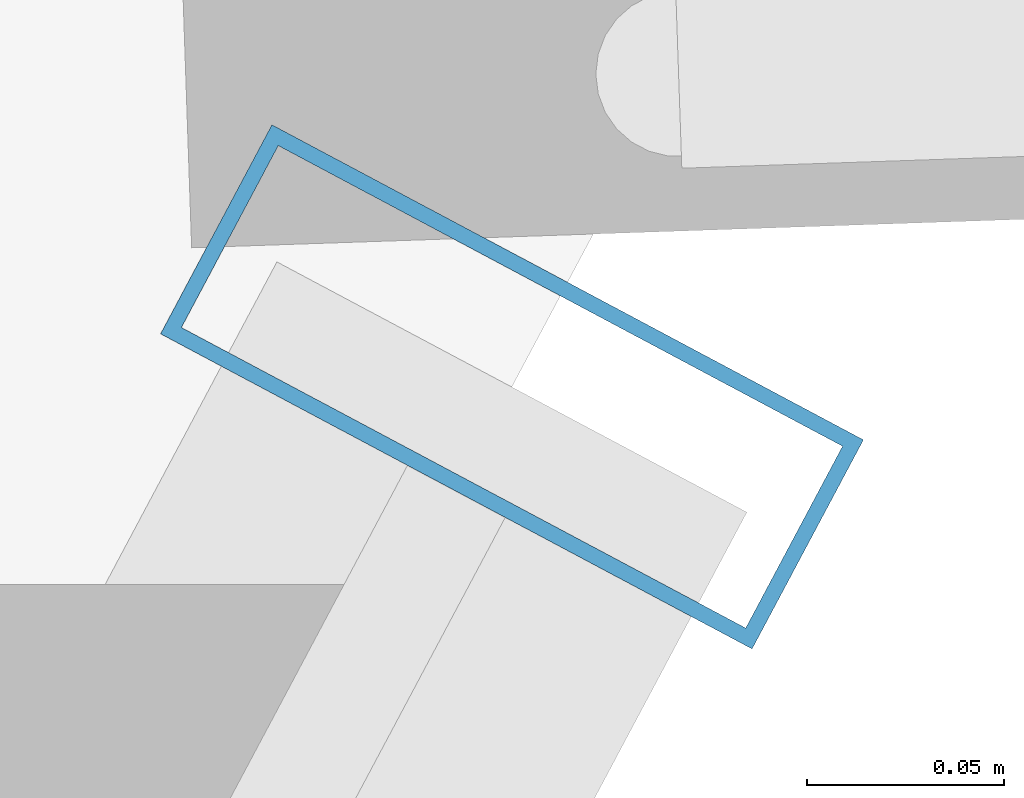
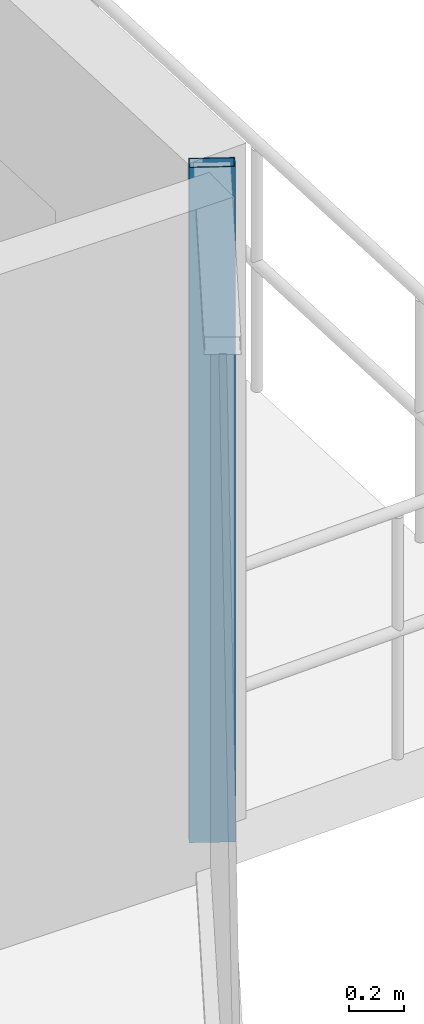
# One storey, part 20 of 39: 1 member, 1 element without a shape of its own.
"""IFC4 building model written with IfcOpenShell, lengths in metres."""

from ifc_helpers import new_model, si_unit, direction, frame, origin, origin_2d, place, context, subcontext, project, spatial, hollow_rectangle, extrude, source, transform, mapped, material, layer, layer_set, material_profile, profile_set, type_object, element, aggregate, save


model = new_model("IFC4")

# Units and contexts
model_context = context("Model", 3, precision=1e-05, world=origin(), true_north=direction((0.0, 1.0)))
body_context = subcontext(model_context, "Body", "Model", "MODEL_VIEW")
ifc_project = project(units=[si_unit("LENGTHUNIT", "METRE"), si_unit("AREAUNIT", "SQUARE_METRE"), si_unit("VOLUMEUNIT", "CUBIC_METRE"), si_unit("PLANEANGLEUNIT", "RADIAN"), si_unit("MASSUNIT", "GRAM", prefix="KILO")], contexts=[model_context])

# Site, building, storey
site_placement = place(None, origin())
site = spatial("IfcSite", under=ifc_project, at=site_placement, CompositionType="ELEMENT")
building_placement = place(site_placement, origin())
building = spatial("IfcBuilding", under=site, at=building_placement, Name="Veraguas Prism Commons", CompositionType="ELEMENT")
storey_placement = place(building_placement, frame((0.0, 0.0, 30.550048828125)))
storey = spatial("IfcBuildingStorey", under=building, at=storey_placement, Name="L07", CompositionType="ELEMENT", Elevation=30.550048828125)

# Curtain wall, member
ifc_material = material(Name="Anodised aluminium EN AW-6063 T6", Category="aluminium")
ifc_layer = layer(ifc_material, 0.169921875, Name="Unitised Flush Curtain Wall Zone 1", Category="aluminium")
ifc_layer_set = layer_set([ifc_layer], Name="Anodised aluminium EN AW-6063 T6")
curtain_wall_type = type_object("IfcCurtainWallType", Name="Unitised Flush Curtain Wall Zone 1", PredefinedType="NOTDEFINED", material=ifc_layer_set)
curtain_wall_placement = place(storey_placement, origin())
curtain_wall = element("IfcCurtainWall", 1, at=curtain_wall_placement, inside=storey, type_object=curtain_wall_type, Name="Tower Facade Curtain Wall L07-F6", PredefinedType="NOTDEFINED")
ifc_material_profile = material_profile(ifc_material, hollow_rectangle(XDim=0.06005859375, YDim=0.169921875, WallThickness=0.00390625, at=origin_2d()), Name="AL60X170X4")
ifc_profile_set = profile_set([ifc_material_profile], Name="Anodised aluminium EN AW-6063 T6")
member_type = type_object("IfcMemberType", Name="Curtain Wall Mullion Lower AL 60x170x4", PredefinedType="MULLION", material=ifc_profile_set)
shared_shape = source(origin(), body_context, "Body", "SweptSolid", [
    extrude(hollow_rectangle(XDim=0.06005859375, YDim=0.169921875, WallThickness=0.00390625, at=origin_2d()), origin(), (0.0, 0.0, 1.0), 3.0),
])
member_placement = place(storey_placement, frame((46.722412109375, 22.4482421875, 0.0), z_axis=(0.0, 0.0, 1.0), x_axis=(0.470089402494, 0.882618804277, 0.0)))
member = element("IfcMember", 2, at=member_placement, type_object=member_type, Name="CW-Z1 Mullion 5", PredefinedType="MULLION", context=body_context, shape_type="MappedRepresentation", body=[
    mapped(shared_shape, transform((0.0, 0.0, 0.0), scale=1.0)),
])
aggregate(curtain_wall, [member])

save(model, "model.ifc")
